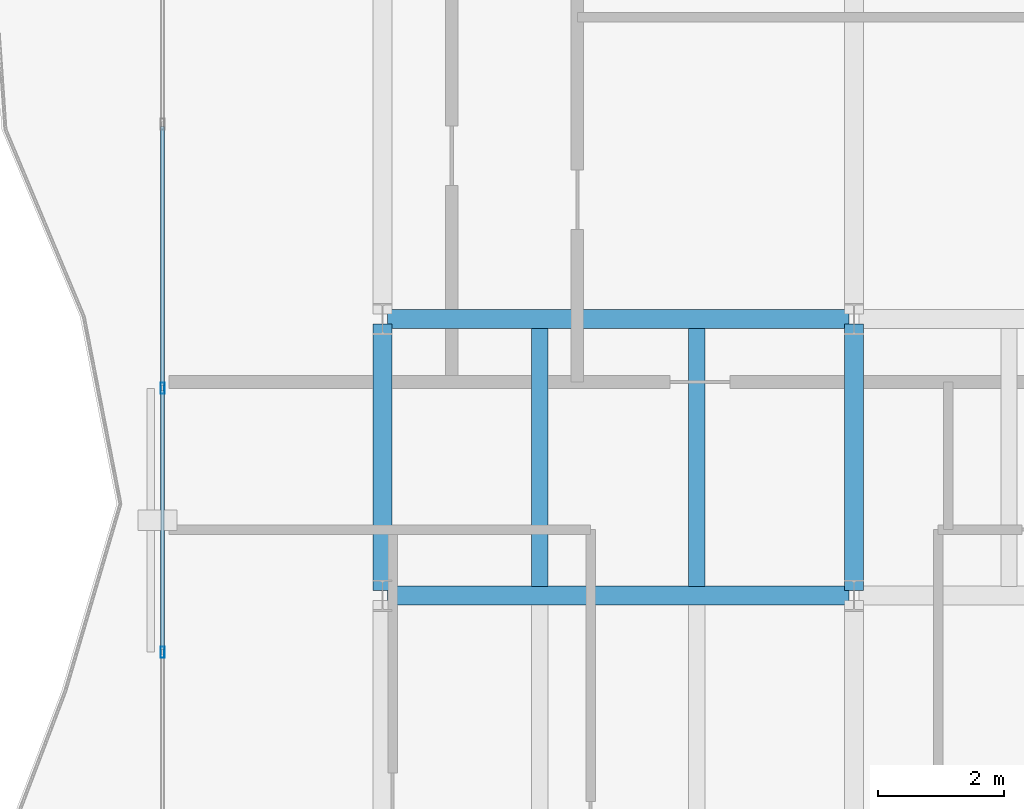
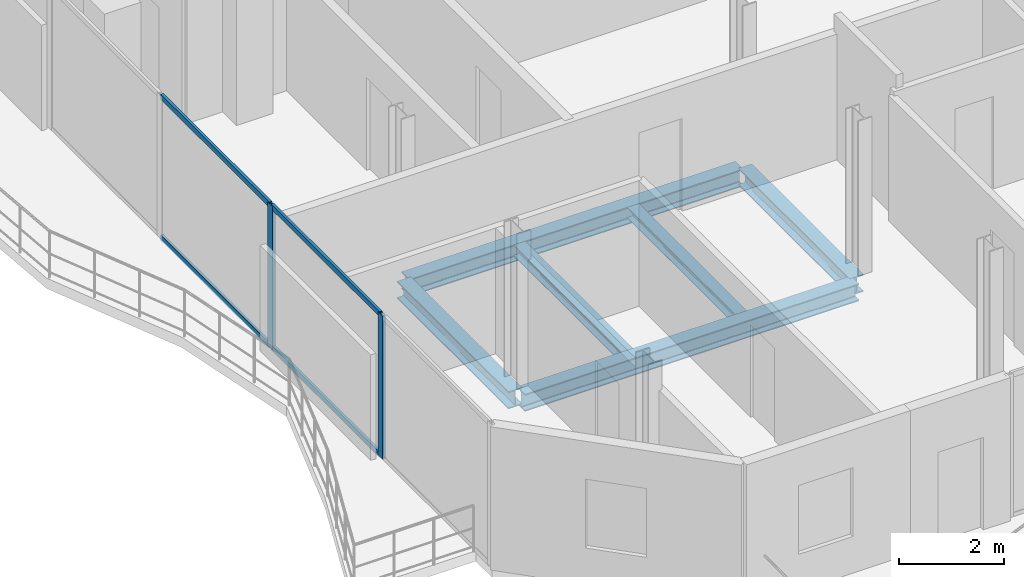
# One storey, part 5 of 23: 6 beams, 6 members, 1 element without a shape of its own.
"""IFC4 building model written with IfcOpenShell, lengths in metres."""

from ifc_helpers import new_model, si_unit, direction, frame, origin, origin_2d, place, context, subcontext, project, spatial, hollow_rectangle, i_section, extrude, material, layer, layer_set, material_profile, profile_set, type_object, element, aggregate, save


model = new_model("IFC4")

# Units and contexts
model_context = context("Model", 3, precision=1e-05, world=origin(), true_north=direction((0.0, 1.0)))
body_context = subcontext(model_context, "Body", "Model", "MODEL_VIEW")
ifc_project = project(units=[si_unit("LENGTHUNIT", "METRE"), si_unit("AREAUNIT", "SQUARE_METRE"), si_unit("VOLUMEUNIT", "CUBIC_METRE"), si_unit("PLANEANGLEUNIT", "RADIAN"), si_unit("MASSUNIT", "GRAM", prefix="KILO")], contexts=[model_context])

# Site, building, storey
site_placement = place(None, origin())
site = spatial("IfcSite", under=ifc_project, at=site_placement, CompositionType="ELEMENT")
building_placement = place(site_placement, origin())
building = spatial("IfcBuilding", under=site, at=building_placement, Name="Catumbela Crestline Tower", CompositionType="ELEMENT")
storey_placement = place(building_placement, frame((0.0, 0.0, 186.6)))
storey = spatial("IfcBuildingStorey", under=building, at=storey_placement, Name="L48", CompositionType="ELEMENT", Elevation=186.6)

# Beams
ifc_material_1 = material(Name="Structural steel S355J2", Category="steel")
ifc_material_profile_1 = material_profile(ifc_material_1, i_section(OverallWidth=0.3, OverallDepth=0.4, WebThickness=0.0135, FlangeThickness=0.024, FilletRadius=0.027, at=origin_2d()), Name="HEB 400")
ifc_profile_set_1 = profile_set([ifc_material_profile_1], Name="Structural steel S355J2")
beam_type_1 = type_object("IfcBeamType", Name="BG-HEB400", PredefinedType="BEAM", material=ifc_profile_set_1)
for number, where, z_axis, x_axis, name in (
    (1, (8.58, 13.6, -0.46), (1.0, 0.0, 0.0), (0.0, 1.0, 0.0), "L48 Beam BM-L48-WEW33"),
    (2, (8.58, 18.0, -0.46), (1.0, 0.0, 0.0), (0.0, 1.0, 0.0), "L48 Beam BM-L48-WEW35"),
):
    element("IfcBeam", number, at=place(storey_placement, frame(where, z_axis=z_axis, x_axis=x_axis)), inside=storey, type_object=beam_type_1, Name=name, PredefinedType="BEAM", context=body_context, shape_type="SweptSolid", body=[
        extrude(i_section(OverallWidth=0.3, OverallDepth=0.4, WebThickness=0.0135, FlangeThickness=0.024, FilletRadius=0.027, at=origin_2d()), origin(), (0.0, 0.0, 1.0), 7.34),
    ])
for number, where, z_axis, x_axis, name in (
    (3, (8.5, 13.68, -0.46), (0.0, 1.0, 0.0), (-1.0, 0.0, 0.0), "L48 Beam BM-L48-WNS38"),
    (4, (16.0, 13.68, -0.46), (0.0, 1.0, 0.0), (-1.0, 0.0, 0.0), "L48 Beam BM-L48-WNS41"),
):
    element("IfcBeam", number, at=place(storey_placement, frame(where, z_axis=z_axis, x_axis=x_axis)), inside=storey, type_object=beam_type_1, Name=name, PredefinedType="BEAM", context=body_context, shape_type="SweptSolid", body=[
        extrude(i_section(OverallWidth=0.3, OverallDepth=0.4, WebThickness=0.0135, FlangeThickness=0.024, FilletRadius=0.027, at=origin_2d()), origin(), (0.0, 0.0, 1.0), 4.24),
    ])
ifc_material_profile_2 = material_profile(ifc_material_1, i_section(OverallWidth=0.26, OverallDepth=0.25, WebThickness=0.0075, FlangeThickness=0.0125, FilletRadius=0.024, at=origin_2d()), Name="HEA 260")
ifc_profile_set_2 = profile_set([ifc_material_profile_2], Name="Structural steel S355J2")
beam_type_2 = type_object("IfcBeamType", Name="BJ-HEA260", PredefinedType="JOIST", material=ifc_profile_set_2)
for number, where, z_axis, x_axis, name in (
    (5, (11.0, 13.747, -0.385), (0.0, 1.0, 0.0), (-1.0, 0.0, 0.0), "L48 Joist JS-L48-WG46"),
    (6, (13.5, 13.747, -0.385), (0.0, 1.0, 0.0), (-1.0, 0.0, 0.0), "L48 Joist JS-L48-WG47"),
):
    element("IfcBeam", number, at=place(storey_placement, frame(where, z_axis=z_axis, x_axis=x_axis)), inside=storey, type_object=beam_type_2, Name=name, PredefinedType="JOIST", context=body_context, shape_type="SweptSolid", body=[
        extrude(i_section(OverallWidth=0.26, OverallDepth=0.25, WebThickness=0.0075, FlangeThickness=0.0125, FilletRadius=0.024, at=origin_2d()), origin(), (0.0, 0.0, 1.0), 4.106),
    ])

# Curtain wall, members
ifc_material_2 = material(Name="Aluminium alloy AW-6060-T66", Category="aluminium")
ifc_layer = layer(ifc_material_2, 0.18, Name="Aluminium alloy AW-6060-T66")
ifc_layer_set = layer_set([ifc_layer], Name="Aluminium alloy AW-6060-T66")
curtain_wall_type = type_object("IfcCurtainWallType", Name="CWU-Z3", PredefinedType="USERDEFINED", material=ifc_layer_set)
curtain_wall_placement = place(storey_placement, origin())
curtain_wall = element("IfcCurtainWall", 7, at=curtain_wall_placement, inside=storey, type_object=curtain_wall_type, Name="L48 Unitised Curtain Wall CW-L48-E9S2", ObjectType="UNITISED", PredefinedType="USERDEFINED")
ifc_material_profile_3 = material_profile(ifc_material_2, hollow_rectangle(XDim=0.065, YDim=0.18, WallThickness=0.004, at=origin_2d()), Name="ALU 180x65x4")
ifc_profile_set_3 = profile_set([ifc_material_profile_3], Name="Aluminium alloy AW-6060-T66")
member_type_1 = type_object("IfcMemberType", Name="MUL-180X65", PredefinedType="MULLION", material=ifc_profile_set_3)
member_1_placement = place(storey_placement, frame((5.0, 16.9, 0.0), z_axis=(0.0, 0.0, 1.0), x_axis=(1.0, 0.0, 0.0)))
member_1 = element("IfcMember", 8, at=member_1_placement, type_object=member_type_1, Name="CWU-Z3 mullion 5", PredefinedType="MULLION", context=body_context, shape_type="SweptSolid", body=[
    extrude(hollow_rectangle(XDim=0.065, YDim=0.18, WallThickness=0.004, at=origin_2d()), origin(), (0.0, 0.0, 1.0), 3.33),
])
member_2_placement = place(storey_placement, frame((5.0, 12.7, 0.0), z_axis=(0.0, 0.0, 1.0), x_axis=(1.0, 0.0, 0.0)))
member_2 = element("IfcMember", 9, at=member_2_placement, type_object=member_type_1, Name="CWU-Z3 mullion 6", PredefinedType="MULLION", context=body_context, shape_type="SweptSolid", body=[
    extrude(hollow_rectangle(XDim=0.065, YDim=0.18, WallThickness=0.004, at=origin_2d()), origin(), (0.0, 0.0, 1.0), 3.33),
])
ifc_material_profile_4 = material_profile(ifc_material_2, hollow_rectangle(XDim=0.06, YDim=0.12, WallThickness=0.0035, at=origin_2d()), Name="ALU 120x60x3.5")
ifc_profile_set_4 = profile_set([ifc_material_profile_4], Name="Aluminium alloy AW-6060-T66")
member_type_2 = type_object("IfcMemberType", Name="TRN-120X60", PredefinedType="USERDEFINED", material=ifc_profile_set_4)
member_3_placement = place(storey_placement, frame((5.0, 21.0675, 0.03), z_axis=(0.0, -1.0, 0.0), x_axis=(1.0, 0.0, 0.0)))
member_3 = element("IfcMember", 10, at=member_3_placement, type_object=member_type_2, Name="CWU-Z3 transom 4.1", ObjectType="TRANSOM", PredefinedType="USERDEFINED", context=body_context, shape_type="SweptSolid", body=[
    extrude(hollow_rectangle(XDim=0.06, YDim=0.12, WallThickness=0.0035, at=origin_2d()), origin(), (0.0, 0.0, 1.0), 4.135),
])
member_4_placement = place(storey_placement, frame((5.0, 21.0675, 3.3), z_axis=(0.0, -1.0, 0.0), x_axis=(1.0, 0.0, 0.0)))
member_4 = element("IfcMember", 11, at=member_4_placement, type_object=member_type_2, Name="CWU-Z3 transom 4.2", ObjectType="TRANSOM", PredefinedType="USERDEFINED", context=body_context, shape_type="SweptSolid", body=[
    extrude(hollow_rectangle(XDim=0.06, YDim=0.12, WallThickness=0.0035, at=origin_2d()), origin(), (0.0, 0.0, 1.0), 4.135),
])
member_5_placement = place(storey_placement, frame((5.0, 16.8675, 0.03), z_axis=(0.0, -1.0, 0.0), x_axis=(1.0, 0.0, 0.0)))
member_5 = element("IfcMember", 12, at=member_5_placement, type_object=member_type_2, Name="CWU-Z3 transom 5.1", ObjectType="TRANSOM", PredefinedType="USERDEFINED", context=body_context, shape_type="SweptSolid", body=[
    extrude(hollow_rectangle(XDim=0.06, YDim=0.12, WallThickness=0.0035, at=origin_2d()), origin(), (0.0, 0.0, 1.0), 4.135),
])
member_6_placement = place(storey_placement, frame((5.0, 16.8675, 3.3), z_axis=(0.0, -1.0, 0.0), x_axis=(1.0, 0.0, 0.0)))
member_6 = element("IfcMember", 13, at=member_6_placement, type_object=member_type_2, Name="CWU-Z3 transom 5.2", ObjectType="TRANSOM", PredefinedType="USERDEFINED", context=body_context, shape_type="SweptSolid", body=[
    extrude(hollow_rectangle(XDim=0.06, YDim=0.12, WallThickness=0.0035, at=origin_2d()), origin(), (0.0, 0.0, 1.0), 4.135),
])
aggregate(curtain_wall, [member_1, member_2, member_3, member_4, member_5, member_6])

save(model, "model.ifc")
